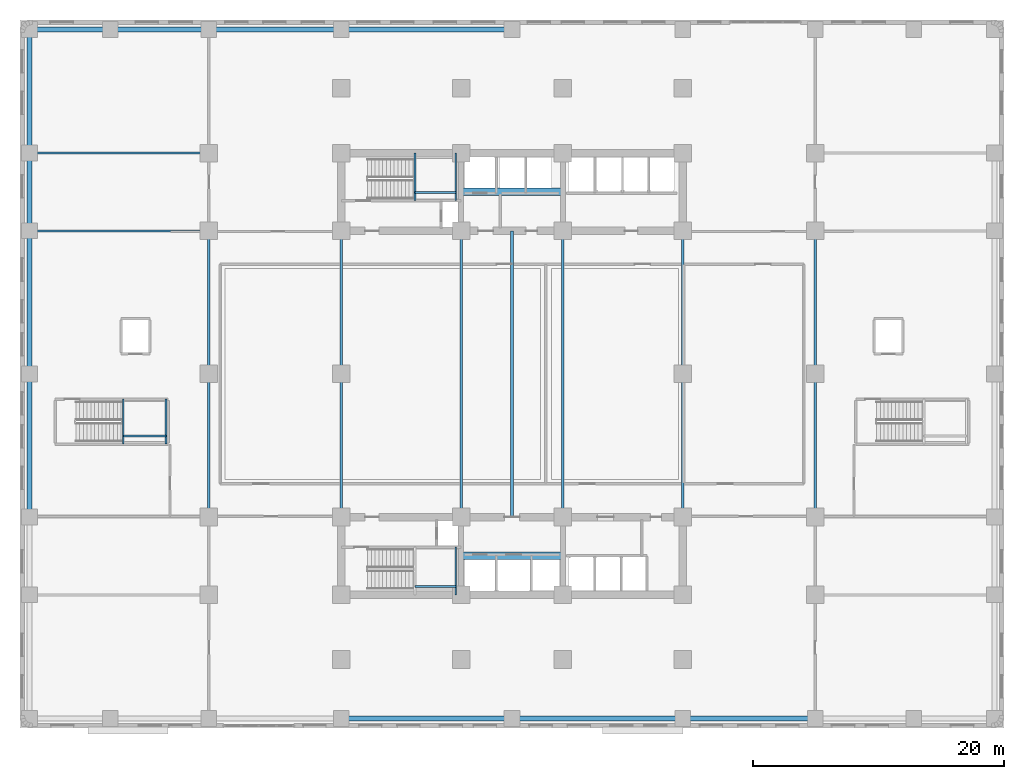
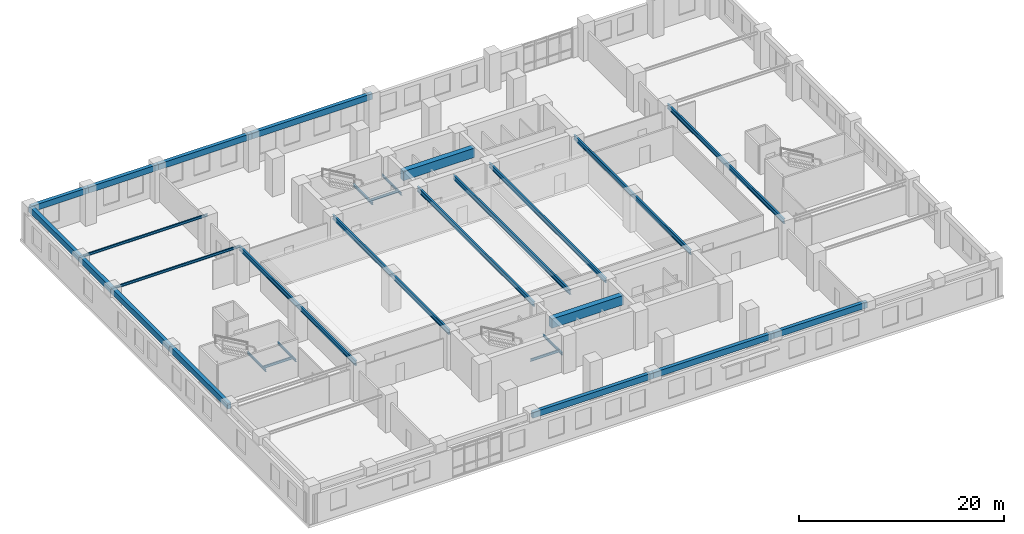
# One storey, part 3 of 16: 30 beams.
"""IFC4 building model written with IfcOpenShell, lengths in metres."""

import ifcopenshell
import ifcopenshell.guid

model = None  # the IFC model being written
_history = None  # IfcOwnerHistory: only IFC2X3 demands one
_inside = {}  # id of a spatial element -> (the spatial element, [elements in it])
_under = {}  # id of a project, library or spatial element -> (it, [spatial elements below it])
_declared = {}  # id of a project -> (the project, [libraries it declares])
_typed = {}  # id of a type object -> (the type object, [elements of that type])
_made_of = {}  # id of a material, layer set ... -> (it, [elements and type objects made of it])


def new_model(schema):
    """Start an empty IFC model of exactly this schema.

    Asked for "IFC4X3", IfcOpenShell would pick the latest addendum, in which some entities
    have other attributes; the version numbers below select the first issue.
    IFC2X3 requires an IfcOwnerHistory on every rooted entity: one is made here for all.
    """
    global model, _history
    if schema == "IFC4X3":
        model = ifcopenshell.file(schema_version=(4, 3, 0, 0))
    else:
        model = ifcopenshell.file(schema=schema)
    _inside.clear()
    _under.clear()
    _declared.clear()
    _typed.clear()
    _made_of.clear()
    _history = None
    if model.schema == "IFC2X3":
        org = make("IfcOrganization", Name="unknown")
        user = make(
            "IfcPersonAndOrganization",
            ThePerson=make("IfcPerson", FamilyName="unknown"),
            TheOrganization=org,
        )
        app = make(
            "IfcApplication",
            ApplicationDeveloper=org,
            Version="unknown",
            ApplicationFullName="unknown",
            ApplicationIdentifier="unknown",
        )
        _history = make(
            "IfcOwnerHistory",
            OwningUser=user,
            OwningApplication=app,
            ChangeAction="ADDED",
            CreationDate=0,
        )
    return model


def make(cls, **values):
    """One entity of the class cls with the attributes given. An attribute that is None is left unset."""
    return model.create_entity(
        cls, **{name: value for name, value in values.items() if value is not None}
    )


def rooted(cls, **values):
    """An entity with a GlobalId (a new one), such as an element, a storey or a relation."""
    return make(cls, GlobalId=ifcopenshell.guid.new(), OwnerHistory=_history, **values)


def si_unit(unit_type, name, prefix=None):
    """IfcSIUnit, for example si_unit("LENGTHUNIT", "METRE", prefix="MILLI")."""
    return make("IfcSIUnit", UnitType=unit_type, Prefix=prefix, Name=name)


def assignment(units):
    """IfcUnitAssignment: the units of a project."""
    return None if units is None else make("IfcUnitAssignment", Units=units)


def point(xyz):
    """IfcCartesianPoint."""
    return None if xyz is None else make("IfcCartesianPoint", Coordinates=xyz)


def direction(xyz):
    """IfcDirection."""
    return None if xyz is None else make("IfcDirection", DirectionRatios=xyz)


def frame(location, z_axis=None, x_axis=None):
    """IfcAxis2Placement3D, a coordinate frame: its origin and axes. An axis left out is left unset."""
    return make(
        "IfcAxis2Placement3D",
        Location=point(location),
        Axis=direction(z_axis),
        RefDirection=direction(x_axis),
    )


def frame_2d(location, x_axis=None):
    """IfcAxis2Placement2D, a coordinate frame in the plane: its origin and x axis."""
    return make(
        "IfcAxis2Placement2D", Location=point(location), RefDirection=direction(x_axis)
    )


def origin():
    """The frame at (0, 0, 0) with its axes left unset."""
    return frame((0.0, 0.0, 0.0))


def origin_2d():
    """The frame at (0, 0) in the plane with its x axis left unset."""
    return frame_2d((0.0, 0.0))


def place(relative_to, where):
    """IfcLocalPlacement: puts the frame where relative to a parent placement (None: the world)."""
    return make(
        "IfcLocalPlacement", PlacementRelTo=relative_to, RelativePlacement=where
    )


def context(
    kind, dimensions, precision=None, world=None, true_north=None, identifier=None
):
    """IfcGeometricRepresentationContext, for example the 3D "Model" context."""
    return make(
        "IfcGeometricRepresentationContext",
        ContextIdentifier=identifier,
        ContextType=kind,
        CoordinateSpaceDimension=dimensions,
        Precision=precision,
        WorldCoordinateSystem=world,
        TrueNorth=true_north,
    )


def subcontext(parent, identifier, kind, view, scale=None):
    """IfcGeometricRepresentationSubContext, for example "Body" below "Model"."""
    return make(
        "IfcGeometricRepresentationSubContext",
        ContextIdentifier=identifier,
        ContextType=kind,
        ParentContext=parent,
        TargetScale=scale,
        TargetView=view,
    )


def project(units=None, contexts=None):
    """IfcProject with its units and contexts."""
    return rooted(
        "IfcProject",
        Name="project",
        RepresentationContexts=contexts,
        UnitsInContext=assignment(units),
    )


def spatial(cls, under=None, at=None, **own):
    """A site, building, storey or space (cls), placed at a placement, below another one or the project."""
    s = rooted(cls, ObjectPlacement=at, **own)
    if under is not None:
        _under.setdefault(under.id(), (under, []))[1].append(s)
    return s


def profile(cls, at=None, kind="AREA", **sizes):
    """A parametric profile (cls). Its sizes go by their IFC names, for example OverallWidth=200.0."""
    return make(cls, ProfileType=kind, Position=at, **sizes)


def rectangle(**sizes):
    """IfcRectangleProfileDef."""
    return profile("IfcRectangleProfileDef", **sizes)


def i_section(**sizes):
    """IfcIShapeProfileDef."""
    return profile("IfcIShapeProfileDef", **sizes)


def extrude(swept, where, along, depth):
    """IfcExtrudedAreaSolid: the profile swept, set in the frame where, extruded along a direction by depth."""
    return make(
        "IfcExtrudedAreaSolid",
        SweptArea=swept,
        Position=where,
        ExtrudedDirection=direction(along),
        Depth=depth,
    )


def shape(context_of_items, identifier, shape_type, items):
    """IfcShapeRepresentation: the items that make up one representation, for example the "Body"."""
    return make(
        "IfcShapeRepresentation",
        ContextOfItems=context_of_items,
        RepresentationIdentifier=identifier,
        RepresentationType=shape_type,
        Items=items,
    )


def material(Name=None, Category=None):
    """IfcMaterial."""
    return make("IfcMaterial", Name=Name, Category=Category)


def material_profile(
    of_material, cross_section, Name=None, Category=None, Priority=None
):
    """IfcMaterialProfile: a cross section and its material."""
    return make(
        "IfcMaterialProfile",
        Name=Name,
        Material=of_material,
        Profile=cross_section,
        Priority=Priority,
        Category=Category,
    )


def profile_set(profiles, Name=None, composite=None):
    """IfcMaterialProfileSet."""
    return make(
        "IfcMaterialProfileSet",
        Name=Name,
        MaterialProfiles=profiles,
        CompositeProfile=composite,
    )


def made_of(thing, what):
    """Note that an element or type object is made of a material, layer set ...; save() writes the relation."""
    if what is not None:
        _made_of.setdefault(what.id(), (what, []))[1].append(thing)
    return thing


def type_object(cls, material=None, **own):
    """A type object (cls), such as IfcWallType, which elements share."""
    return made_of(rooted(cls, **own), material)


def element(
    cls,
    number,
    at=None,
    inside=None,
    cuts=None,
    type_object=None,
    material=None,
    context=None,
    identifier="Body",
    shape_type=None,
    held_by="IfcProductDefinitionShape",
    body=None,
    shapes=None,
    **own,
):
    """One element of the class cls, such as IfcWall. Its Tag is "e" and its number.

    at: its placement. inside: the storey or other place that contains it. cuts: it is an
    opening in that element (IfcRelVoidsElement). A single representation is given by context,
    identifier, shape_type and body (its items); several are given by shapes. held_by: the class
    of the entity that holds the representations. save() writes the other relations.
    """
    e = rooted(cls, Tag="e%d" % number, ObjectPlacement=at, **own)
    if body is not None:
        shapes = [shape(context, identifier, shape_type, body)]
    if shapes is not None:
        e.Representation = make(held_by, Representations=shapes)
    if inside is not None:
        _inside.setdefault(inside.id(), (inside, []))[1].append(e)
    if cuts is not None:
        rooted(
            "IfcRelVoidsElement", RelatingBuildingElement=cuts, RelatedOpeningElement=e
        )
    if type_object is not None:
        _typed.setdefault(type_object.id(), (type_object, []))[1].append(e)
    return made_of(e, material)


def aggregate(whole, parts):
    """IfcRelAggregates: a whole, such as a stair, and the parts it consists of."""
    return rooted("IfcRelAggregates", RelatingObject=whole, RelatedObjects=parts)


def save(model, path):
    """Write the relations noted so far, then the file.

    IfcRelAggregates (storeys below a building ...), IfcRelContainedInSpatialStructure (elements
    in a storey), IfcRelDefinesByType, IfcRelAssociatesMaterial and IfcRelDeclares: one each for
    every whole, place, type object, material and project.
    """
    for whole, parts in _under.values():
        aggregate(whole, parts)
    for where, things in _inside.values():
        rooted(
            "IfcRelContainedInSpatialStructure",
            RelatedElements=things,
            RelatingStructure=where,
        )
    for kind, things in _typed.values():
        rooted("IfcRelDefinesByType", RelatedObjects=things, RelatingType=kind)
    for what, things in _made_of.values():
        rooted("IfcRelAssociatesMaterial", RelatedObjects=things, RelatingMaterial=what)
    for by, libraries in _declared.values():
        rooted("IfcRelDeclares", RelatingContext=by, RelatedDefinitions=libraries)
    model.write(path)


model = new_model("IFC4")

# Units and contexts
model_context = context("Model", 3, precision=1e-05, world=origin(), true_north=direction((0.0, 1.0)))
body_context = subcontext(model_context, "Body", "Model", "MODEL_VIEW")
ifc_project = project(units=[si_unit("LENGTHUNIT", "METRE"), si_unit("AREAUNIT", "SQUARE_METRE"), si_unit("VOLUMEUNIT", "CUBIC_METRE"), si_unit("PLANEANGLEUNIT", "RADIAN"), si_unit("MASSUNIT", "GRAM", prefix="KILO")], contexts=[model_context])

# Site, building, storey
site_placement = place(None, origin())
site = spatial("IfcSite", under=ifc_project, at=site_placement, CompositionType="ELEMENT")
building_placement = place(site_placement, origin())
building = spatial("IfcBuilding", under=site, at=building_placement, Name="Svetorya Sky Lyceum", CompositionType="ELEMENT")
storey_placement = place(building_placement, frame((0.0, 0.0, 11.10009765625)))
storey = spatial("IfcBuildingStorey", under=building, at=storey_placement, Name="L02", CompositionType="ELEMENT", Elevation=11.10009765625)

# Beams
ifc_material_1 = material(Name="Concrete C60/75", Category="concrete")
ifc_material_profile_1 = material_profile(ifc_material_1, rectangle(XDim=0.60009765625, YDim=1.10009765625, at=origin_2d()), Name="RC COUPLING 600x1100")
ifc_profile_set_1 = profile_set([ifc_material_profile_1], Name="Concrete C60/75")
beam_type_1 = type_object("IfcBeamType", Name="BM-CPL-1100", PredefinedType="LINTEL", material=ifc_profile_set_1)
for number, where, z_axis, x_axis, name in (
    (1, (35.14990234375, 13.699951171875, 3.64990234375), (1.0, 0.0, 0.0), (0.0, 1.0, 0.0), "L02 SC Core Coupling Beam"),
    (2, (35.14990234375, 42.699951171875, 3.64990234375), (1.0, 0.0, 0.0), (0.0, 1.0, 0.0), "L02 NC Core Coupling Beam"),
):
    element("IfcBeam", number, at=place(storey_placement, frame(where, z_axis=z_axis, x_axis=x_axis)), inside=storey, type_object=beam_type_1, Name=name, PredefinedType="LINTEL", context=body_context, shape_type="SweptSolid", body=[
        extrude(rectangle(XDim=0.60009765625, YDim=1.10009765625, at=origin_2d()), origin(), (0.0, 0.0, 1.0), 8.10009765625),
    ])
ifc_material_2 = material(Name="Concrete C50/60", Category="concrete")
ifc_material_profile_2 = material_profile(ifc_material_2, rectangle(XDim=0.39990234375, YDim=0.699951171875, at=origin_2d()), Name="RC SPANDREL 400x700")
ifc_profile_set_2 = profile_set([ifc_material_profile_2], Name="Concrete C50/60")
beam_type_2 = type_object("IfcBeamType", Name="BM-SPN-700", PredefinedType="SPANDREL", material=ifc_profile_set_2)
beam_1_placement = place(storey_placement, frame((0.75, 55.64990234375, 3.849853515625), z_axis=(1.0, 0.0, 0.0), x_axis=(0.0, 1.0, 0.0)))
element("IfcBeam", 3, at=beam_1_placement, inside=storey, type_object=beam_type_2, Name="L02 Podium North Spandrel 1", PredefinedType="SPANDREL", context=body_context, shape_type="SweptSolid", body=[
    extrude(rectangle(XDim=0.39990234375, YDim=0.699951171875, at=origin_2d()), origin(), (0.0, 0.0, 1.0), 6.449951171875),
])
beam_2_placement = place(storey_placement, frame((7.199951171875, 55.64990234375, 3.849853515625), z_axis=(1.0, 0.0, 0.0), x_axis=(0.0, 1.0, 0.0)))
element("IfcBeam", 4, at=beam_2_placement, inside=storey, type_object=beam_type_2, Name="L02 Podium North Spandrel 2", PredefinedType="SPANDREL", context=body_context, shape_type="SweptSolid", body=[
    extrude(rectangle(XDim=0.39990234375, YDim=0.699951171875, at=origin_2d()), origin(), (0.0, 0.0, 1.0), 7.85009765625),
])
beam_3_placement = place(storey_placement, frame((15.050048828125, 55.64990234375, 3.849853515625), z_axis=(1.0, 0.0, 0.0), x_axis=(0.0, 1.0, 0.0)))
element("IfcBeam", 5, at=beam_3_placement, inside=storey, type_object=beam_type_2, Name="L02 Podium North Spandrel 3", PredefinedType="SPANDREL", context=body_context, shape_type="SweptSolid", body=[
    extrude(rectangle(XDim=0.39990234375, YDim=0.699951171875, at=origin_2d()), origin(), (0.0, 0.0, 1.0), 10.550048828125),
])
for number, where, z_axis, x_axis, name in (
    (6, (25.60009765625, 0.75, 3.849853515625), (1.0, 0.0, 0.0), (0.0, 1.0, 0.0), "L02 Podium South Spandrel 4"),
    (7, (25.60009765625, 55.64990234375, 3.849853515625), (1.0, 0.0, 0.0), (0.0, 1.0, 0.0), "L02 Podium North Spandrel 4"),
):
    element("IfcBeam", number, at=place(storey_placement, frame(where, z_axis=z_axis, x_axis=x_axis)), inside=storey, type_object=beam_type_2, Name=name, PredefinedType="SPANDREL", context=body_context, shape_type="SweptSolid", body=[
        extrude(rectangle(XDim=0.39990234375, YDim=0.699951171875, at=origin_2d()), origin(), (0.0, 0.0, 1.0), 13.599853515625),
    ])
beam_4_placement = place(storey_placement, frame((39.199951171875, 0.75, 3.849853515625), z_axis=(1.0, 0.0, 0.0), x_axis=(0.0, 1.0, 0.0)))
element("IfcBeam", 8, at=beam_4_placement, inside=storey, type_object=beam_type_2, Name="L02 Podium South Spandrel 5", PredefinedType="SPANDREL", context=body_context, shape_type="SweptSolid", body=[
    extrude(rectangle(XDim=0.39990234375, YDim=0.699951171875, at=origin_2d()), origin(), (0.0, 0.0, 1.0), 13.60009765625),
])
beam_5_placement = place(storey_placement, frame((52.800048828125, 0.75, 3.849853515625), z_axis=(1.0, 0.0, 0.0), x_axis=(0.0, 1.0, 0.0)))
element("IfcBeam", 9, at=beam_5_placement, inside=storey, type_object=beam_type_2, Name="L02 Podium South Spandrel 6", PredefinedType="SPANDREL", context=body_context, shape_type="SweptSolid", body=[
    extrude(rectangle(XDim=0.39990234375, YDim=0.699951171875, at=origin_2d()), origin(), (0.0, 0.0, 1.0), 10.550048828125),
])
beam_6_placement = place(storey_placement, frame((0.75, 16.800048828125, 3.849853515625), z_axis=(0.0, 1.0, 0.0), x_axis=(-1.0, 0.0, 0.0)))
element("IfcBeam", 10, at=beam_6_placement, inside=storey, type_object=beam_type_2, Name="L02 Podium West Spandrel 3", PredefinedType="SPANDREL", context=body_context, shape_type="SweptSolid", body=[
    extrude(rectangle(XDim=0.39990234375, YDim=0.699951171875, at=origin_2d()), origin(), (0.0, 0.0, 1.0), 11.39990234375),
])
beam_7_placement = place(storey_placement, frame((0.75, 28.199951171875, 3.849853515625), z_axis=(0.0, 1.0, 0.0), x_axis=(-1.0, 0.0, 0.0)))
element("IfcBeam", 11, at=beam_7_placement, inside=storey, type_object=beam_type_2, Name="L02 Podium West Spandrel 4", PredefinedType="SPANDREL", context=body_context, shape_type="SweptSolid", body=[
    extrude(rectangle(XDim=0.39990234375, YDim=0.699951171875, at=origin_2d()), origin(), (0.0, 0.0, 1.0), 11.400146484375),
])
beam_8_placement = place(storey_placement, frame((0.75, 39.60009765625, 3.849853515625), z_axis=(0.0, 1.0, 0.0), x_axis=(-1.0, 0.0, 0.0)))
element("IfcBeam", 12, at=beam_8_placement, inside=storey, type_object=beam_type_2, Name="L02 Podium West Spandrel 5", PredefinedType="SPANDREL", context=body_context, shape_type="SweptSolid", body=[
    extrude(rectangle(XDim=0.39990234375, YDim=0.699951171875, at=origin_2d()), origin(), (0.0, 0.0, 1.0), 6.199951171875),
])
beam_9_placement = place(storey_placement, frame((0.75, 45.800048828125, 3.849853515625), z_axis=(0.0, 1.0, 0.0), x_axis=(-1.0, 0.0, 0.0)))
element("IfcBeam", 13, at=beam_9_placement, inside=storey, type_object=beam_type_2, Name="L02 Podium West Spandrel 6", PredefinedType="SPANDREL", context=body_context, shape_type="SweptSolid", body=[
    extrude(rectangle(XDim=0.39990234375, YDim=0.699951171875, at=origin_2d()), origin(), (0.0, 0.0, 1.0), 9.849853515625),
])
ifc_material_3 = material(Name="Steel S355", Category="steel")
ifc_material_profile_3 = material_profile(ifc_material_3, i_section(OverallWidth=0.14990234375, OverallDepth=0.299072265625, WebThickness=0.006591796875, FlangeThickness=0.010498046875, at=origin_2d()), Name="GOST 30B2")
ifc_profile_set_3 = profile_set([ifc_material_profile_3], Name="Steel S355")
beam_type_3 = type_object("IfcBeamType", Name="BM-STL-30B2", PredefinedType="JOIST", material=ifc_profile_set_3)
for number, where, z_axis, x_axis, name in (
    (14, (0.75, 39.60009765625, 4.05029296875), (1.0, 0.0, 0.0), (0.0, 1.0, 0.0), "L02 Podium Wing Joist W3"),
    (15, (0.75, 45.800048828125, 4.05029296875), (1.0, 0.0, 0.0), (0.0, 1.0, 0.0), "L02 Podium Wing Joist W4"),
):
    element("IfcBeam", number, at=place(storey_placement, frame(where, z_axis=z_axis, x_axis=x_axis)), inside=storey, type_object=beam_type_3, Name=name, PredefinedType="JOIST", context=body_context, shape_type="SweptSolid", body=[
        extrude(i_section(OverallWidth=0.14990234375, OverallDepth=0.299072265625, WebThickness=0.006591796875, FlangeThickness=0.010498046875, at=origin_2d()), origin(), (0.0, 0.0, 1.0), 14.300048828125),
    ])
beam_10_placement = place(storey_placement, frame((34.719970703125, 10.60009765625, 1.900390625), z_axis=(0.0, 1.0, 0.0), x_axis=(-1.0, 0.0, 0.0)))
element("IfcBeam", 16, at=beam_10_placement, inside=storey, type_object=beam_type_3, Name="L02 Stair ST-S Half-Landing Support Beam 4.2", PredefinedType="JOIST", context=body_context, shape_type="SweptSolid", body=[
    extrude(i_section(OverallWidth=0.14990234375, OverallDepth=0.299072265625, WebThickness=0.006591796875, FlangeThickness=0.010498046875, at=origin_2d()), origin(), (0.0, 0.0, 1.0), 3.7998046875),
])
beam_11_placement = place(storey_placement, frame((31.47998046875, 11.25, 1.900390625), z_axis=(1.0, 0.0, 0.0), x_axis=(0.0, 1.0, 0.0)))
element("IfcBeam", 17, at=beam_11_placement, inside=storey, type_object=beam_type_3, Name="L02 Stair ST-S Half-Landing Cross Tie 4", PredefinedType="JOIST", context=body_context, shape_type="SweptSolid", body=[
    extrude(i_section(OverallWidth=0.14990234375, OverallDepth=0.299072265625, WebThickness=0.006591796875, FlangeThickness=0.010498046875, at=origin_2d()), origin(), (0.0, 0.0, 1.0), 3.239990234375),
])
for number, where, z_axis, x_axis, name in (
    (18, (31.47998046875, 42.0, 1.900390625), (0.0, 1.0, 0.0), (-1.0, 0.0, 0.0), "L02 Stair ST-N Half-Landing Support Beam 4.1"),
    (19, (34.719970703125, 42.0, 1.900390625), (0.0, 1.0, 0.0), (-1.0, 0.0, 0.0), "L02 Stair ST-N Half-Landing Support Beam 4.2"),
):
    element("IfcBeam", number, at=place(storey_placement, frame(where, z_axis=z_axis, x_axis=x_axis)), inside=storey, type_object=beam_type_3, Name=name, PredefinedType="JOIST", context=body_context, shape_type="SweptSolid", body=[
        extrude(i_section(OverallWidth=0.14990234375, OverallDepth=0.299072265625, WebThickness=0.006591796875, FlangeThickness=0.010498046875, at=origin_2d()), origin(), (0.0, 0.0, 1.0), 3.800048828125),
    ])
beam_12_placement = place(storey_placement, frame((31.47998046875, 42.64990234375, 1.900390625), z_axis=(1.0, 0.0, 0.0), x_axis=(0.0, 1.0, 0.0)))
element("IfcBeam", 20, at=beam_12_placement, inside=storey, type_object=beam_type_3, Name="L02 Stair ST-N Half-Landing Cross Tie 4", PredefinedType="JOIST", context=body_context, shape_type="SweptSolid", body=[
    extrude(i_section(OverallWidth=0.14990234375, OverallDepth=0.299072265625, WebThickness=0.006591796875, FlangeThickness=0.010498046875, at=origin_2d()), origin(), (0.0, 0.0, 1.0), 3.239990234375),
])
for number, where, z_axis, x_axis, name in (
    (21, (8.22998046875, 22.60009765625, 1.900390625), (0.0, 1.0, 0.0), (-1.0, 0.0, 0.0), "L02 Stair ST-SCH-W Half-Landing Support Beam 3.1"),
    (22, (11.6201171875, 22.60009765625, 1.900390625), (0.0, 1.0, 0.0), (-1.0, 0.0, 0.0), "L02 Stair ST-SCH-W Half-Landing Support Beam 3.2"),
):
    element("IfcBeam", number, at=place(storey_placement, frame(where, z_axis=z_axis, x_axis=x_axis)), inside=storey, type_object=beam_type_3, Name=name, PredefinedType="JOIST", context=body_context, shape_type="SweptSolid", body=[
        extrude(i_section(OverallWidth=0.14990234375, OverallDepth=0.299072265625, WebThickness=0.006591796875, FlangeThickness=0.010498046875, at=origin_2d()), origin(), (0.0, 0.0, 1.0), 3.599853515625),
    ])
beam_13_placement = place(storey_placement, frame((8.22998046875, 23.25, 1.900390625), z_axis=(1.0, 0.0, 0.0), x_axis=(0.0, 1.0, 0.0)))
element("IfcBeam", 23, at=beam_13_placement, inside=storey, type_object=beam_type_3, Name="L02 Stair ST-SCH-W Half-Landing Cross Tie 3", PredefinedType="JOIST", context=body_context, shape_type="SweptSolid", body=[
    extrude(i_section(OverallWidth=0.14990234375, OverallDepth=0.299072265625, WebThickness=0.006591796875, FlangeThickness=0.010498046875, at=origin_2d()), origin(), (0.0, 0.0, 1.0), 3.39013671875),
])
ifc_material_profile_4 = material_profile(ifc_material_3, i_section(OverallWidth=0.2099609375, OverallDepth=0.550048828125, WebThickness=0.010986328125, FlangeThickness=0.017578125, at=origin_2d()), Name="GOST 55B2")
ifc_profile_set_4 = profile_set([ifc_material_profile_4], Name="Steel S355")
beam_type_4 = type_object("IfcBeamType", Name="BM-STL-55B2", PredefinedType="BEAM", material=ifc_profile_set_4)
for number, where, z_axis, x_axis, name in (
    (24, (15.050048828125, 16.800048828125, 3.9248046875), (0.0, 1.0, 0.0), (-1.0, 0.0, 0.0), "L02 Lyceum Hall Steel Girder HG-1"),
    (25, (25.60009765625, 16.800048828125, 3.9248046875), (0.0, 1.0, 0.0), (-1.0, 0.0, 0.0), "L02 Lyceum Hall Steel Girder HG-2"),
    (26, (35.14990234375, 16.800048828125, 3.9248046875), (0.0, 1.0, 0.0), (-1.0, 0.0, 0.0), "L02 Lyceum Hall Steel Girder HG-3"),
    (27, (39.199951171875, 16.800048828125, 3.9248046875), (0.0, 1.0, 0.0), (-1.0, 0.0, 0.0), "L02 Lyceum Hall Steel Girder HG-4"),
    (28, (43.25, 16.800048828125, 3.9248046875), (0.0, 1.0, 0.0), (-1.0, 0.0, 0.0), "L02 Lyceum Hall Steel Girder HG-5"),
    (29, (52.800048828125, 16.800048828125, 3.9248046875), (0.0, 1.0, 0.0), (-1.0, 0.0, 0.0), "L02 Lyceum Hall Steel Girder HG-6"),
    (30, (63.35009765625, 16.800048828125, 3.9248046875), (0.0, 1.0, 0.0), (-1.0, 0.0, 0.0), "L02 Lyceum Hall Steel Girder HG-7"),
):
    element("IfcBeam", number, at=place(storey_placement, frame(where, z_axis=z_axis, x_axis=x_axis)), inside=storey, type_object=beam_type_4, Name=name, PredefinedType="BEAM", context=body_context, shape_type="SweptSolid", body=[
        extrude(i_section(OverallWidth=0.2099609375, OverallDepth=0.550048828125, WebThickness=0.010986328125, FlangeThickness=0.017578125, at=origin_2d()), origin(), (0.0, 0.0, 1.0), 22.800048828125),
    ])

save(model, "model.ifc")
